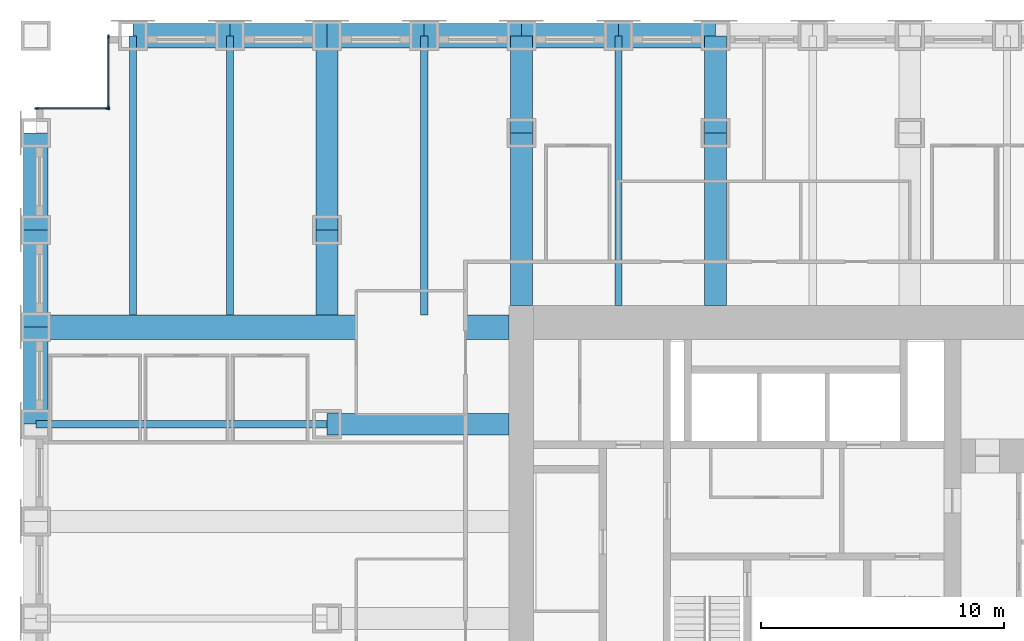
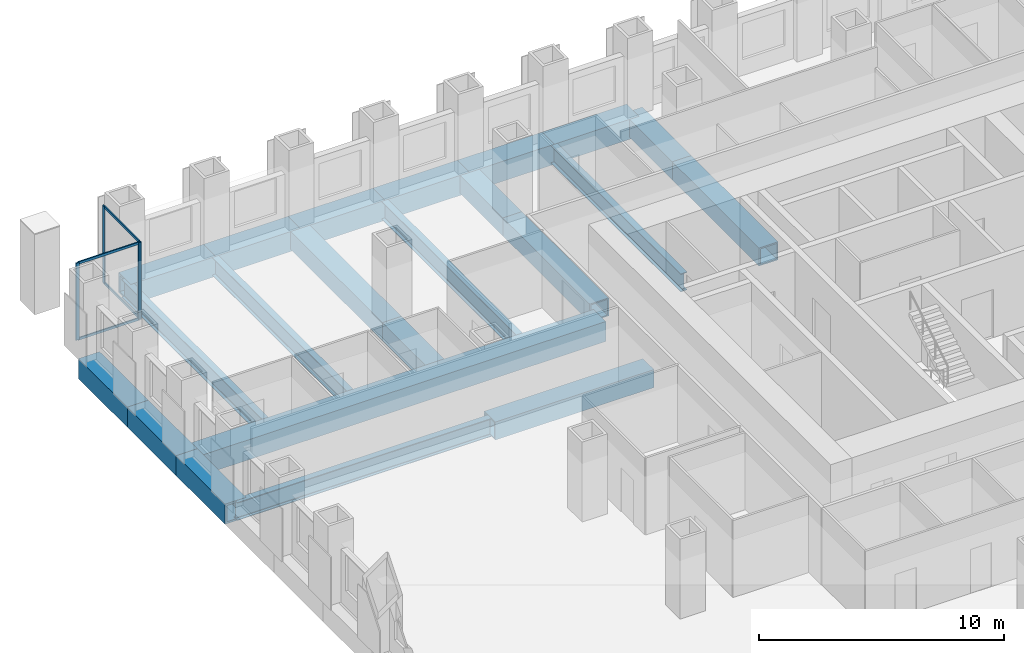
# One storey, part 5 of 15: 22 beams, 8 members, 2 elements without a shape of their own.
"""IFC4 building model written with IfcOpenShell, lengths in metres."""

from ifc_helpers import new_model, si_unit, direction, frame, origin, origin_2d, place, context, subcontext, project, spatial, rectangle, hollow_rectangle, i_section, extrude, material, material_profile, profile_set, type_object, element, aggregate, save


model = new_model("IFC4")

# Units and contexts
model_context = context("Model", 3, precision=1e-05, world=origin(), true_north=direction((0.0, 1.0)))
body_context = subcontext(model_context, "Body", "Model", "MODEL_VIEW")
ifc_project = project(units=[si_unit("LENGTHUNIT", "METRE"), si_unit("AREAUNIT", "SQUARE_METRE"), si_unit("VOLUMEUNIT", "CUBIC_METRE"), si_unit("PLANEANGLEUNIT", "RADIAN"), si_unit("MASSUNIT", "GRAM", prefix="KILO")], contexts=[model_context])

# Site, building, storey
site_placement = place(None, origin())
site = spatial("IfcSite", under=ifc_project, at=site_placement, CompositionType="ELEMENT")
building_placement = place(site_placement, origin())
building = spatial("IfcBuilding", under=site, at=building_placement, Name="Rimbunsela Tower", CompositionType="ELEMENT")
storey_placement = place(building_placement, frame((0.0, 0.0, 67.0)))
storey = spatial("IfcBuildingStorey", under=building, at=storey_placement, Name="L16", CompositionType="ELEMENT", Elevation=67.0)

# Beams
ifc_material_1 = material(Name="Steel BJ 55 (fy 410 MPa)", Category="steel")
ifc_material_profile_1 = material_profile(ifc_material_1, hollow_rectangle(XDim=1.0, YDim=1.0, WallThickness=0.10009765625, at=origin_2d()), Name="BOX 1000x1000x100")
ifc_profile_set_1 = profile_set([ifc_material_profile_1], Name="Steel BJ 55 (fy 410 MPa)")
beam_type_1 = type_object("IfcBeamType", Name="Beam BOX 1000x1000x100", PredefinedType="BEAM", material=ifc_profile_set_1)
for number, where, z_axis, x_axis, name in (
    (1, (-2.0, 32.0, -0.64990234375), (0.0, 1.0, 0.0), (-1.0, 0.0, 0.0), "Beam B3 L16"),
    (2, (-2.0, 36.0, -0.64990234375), (0.0, 1.0, 0.0), (-1.0, 0.0, 0.0), "Beam B3 L16"),
):
    element("IfcBeam", number, at=place(storey_placement, frame(where, z_axis=z_axis, x_axis=x_axis)), inside=storey, type_object=beam_type_1, Name=name, PredefinedType="BEAM", context=body_context, shape_type="SweptSolid", body=[
        extrude(hollow_rectangle(XDim=1.0, YDim=1.0, WallThickness=0.10009765625, at=origin_2d()), origin(), (0.0, 0.0, 1.0), 4.0),
    ])
beam_1_placement = place(storey_placement, frame((-2.0, 36.0, -0.64990234375), z_axis=(1.0, 0.0, 0.0), x_axis=(0.0, 1.0, 0.0)))
element("IfcBeam", 3, at=beam_1_placement, inside=storey, type_object=beam_type_1, Name="Beam B3 L16", PredefinedType="BEAM", context=body_context, shape_type="SweptSolid", body=[
    extrude(hollow_rectangle(XDim=1.0, YDim=1.0, WallThickness=0.10009765625, at=origin_2d()), origin(), (0.0, 0.0, 1.0), 19.5),
])
for number, where, z_axis, x_axis, name in (
    (4, (-2.0, 40.0, -0.64990234375), (0.0, 1.0, 0.0), (-1.0, 0.0, 0.0), "Beam B3 L16"),
    (5, (2.0, 48.0, -0.64990234375), (1.0, 0.0, 0.0), (0.0, 1.0, 0.0), "Beam B3 L16"),
    (6, (6.0, 48.0, -0.64990234375), (1.0, 0.0, 0.0), (0.0, 1.0, 0.0), "Beam B3 L16"),
    (7, (10.0, 48.0, -0.64990234375), (1.0, 0.0, 0.0), (0.0, 1.0, 0.0), "Beam B3 L16"),
    (8, (14.0, 48.0, -0.64990234375), (1.0, 0.0, 0.0), (0.0, 1.0, 0.0), "Beam B3 L16"),
    (9, (18.0, 48.0, -0.64990234375), (1.0, 0.0, 0.0), (0.0, 1.0, 0.0), "Beam B3 L16"),
    (10, (22.0, 48.0, -0.64990234375), (1.0, 0.0, 0.0), (0.0, 1.0, 0.0), "Beam B3 L16"),
):
    element("IfcBeam", number, at=place(storey_placement, frame(where, z_axis=z_axis, x_axis=x_axis)), inside=storey, type_object=beam_type_1, Name=name, PredefinedType="BEAM", context=body_context, shape_type="SweptSolid", body=[
        extrude(hollow_rectangle(XDim=1.0, YDim=1.0, WallThickness=0.10009765625, at=origin_2d()), origin(), (0.0, 0.0, 1.0), 4.0),
    ])
ifc_material_2 = material(Name="Steel BJ 55 (fy 410 MPa)", Category="steel")
ifc_material_profile_2 = material_profile(ifc_material_2, hollow_rectangle(XDim=0.89990234375, YDim=0.89990234375, WallThickness=0.06005859375, at=origin_2d()), Name="BOX 900x900x60")
ifc_profile_set_2 = profile_set([ifc_material_profile_2], Name="Steel BJ 55 (fy 410 MPa)")
beam_type_2 = type_object("IfcBeamType", Name="Beam BOX 900x900x60", PredefinedType="BEAM", material=ifc_profile_set_2)
beam_2_placement = place(storey_placement, frame((10.0, 32.0, -0.60009765625), z_axis=(1.0, 0.0, 0.0), x_axis=(0.0, 1.0, 0.0)))
element("IfcBeam", 11, at=beam_2_placement, inside=storey, type_object=beam_type_2, Name="Beam B1 L16", PredefinedType="BEAM", context=body_context, shape_type="SweptSolid", body=[
    extrude(hollow_rectangle(XDim=0.89990234375, YDim=0.89990234375, WallThickness=0.06005859375, at=origin_2d()), origin(), (0.0, 0.0, 1.0), 7.5),
])
beam_3_placement = place(storey_placement, frame((10.0, 36.5, -0.60009765625), z_axis=(0.0, 1.0, 0.0), x_axis=(-1.0, 0.0, 0.0)))
element("IfcBeam", 12, at=beam_3_placement, inside=storey, type_object=beam_type_2, Name="Beam B1 L16", PredefinedType="BEAM", context=body_context, shape_type="SweptSolid", body=[
    extrude(hollow_rectangle(XDim=0.89990234375, YDim=0.89990234375, WallThickness=0.06005859375, at=origin_2d()), origin(), (0.0, 0.0, 1.0), 3.5),
])
beam_4_placement = place(storey_placement, frame((10.0, 40.0, -0.60009765625), z_axis=(0.0, 1.0, 0.0), x_axis=(-1.0, 0.0, 0.0)))
element("IfcBeam", 13, at=beam_4_placement, inside=storey, type_object=beam_type_2, Name="Beam B1 L16", PredefinedType="BEAM", context=body_context, shape_type="SweptSolid", body=[
    extrude(hollow_rectangle(XDim=0.89990234375, YDim=0.89990234375, WallThickness=0.06005859375, at=origin_2d()), origin(), (0.0, 0.0, 1.0), 8.0),
])
beam_5_placement = place(storey_placement, frame((18.0, 36.89990234375, -0.60009765625), z_axis=(0.0, 1.0, 0.0), x_axis=(-1.0, 0.0, 0.0)))
element("IfcBeam", 14, at=beam_5_placement, inside=storey, type_object=beam_type_2, Name="Beam B1 L16", PredefinedType="BEAM", context=body_context, shape_type="SweptSolid", body=[
    extrude(hollow_rectangle(XDim=0.89990234375, YDim=0.89990234375, WallThickness=0.06005859375, at=origin_2d()), origin(), (0.0, 0.0, 1.0), 7.10009765625),
])
beam_6_placement = place(storey_placement, frame((18.0, 44.0, -0.60009765625), z_axis=(0.0, 1.0, 0.0), x_axis=(-1.0, 0.0, 0.0)))
element("IfcBeam", 15, at=beam_6_placement, inside=storey, type_object=beam_type_2, Name="Beam B1 L16", PredefinedType="BEAM", context=body_context, shape_type="SweptSolid", body=[
    extrude(hollow_rectangle(XDim=0.89990234375, YDim=0.89990234375, WallThickness=0.06005859375, at=origin_2d()), origin(), (0.0, 0.0, 1.0), 4.0),
])
beam_7_placement = place(storey_placement, frame((26.0, 36.89990234375, -0.60009765625), z_axis=(0.0, 1.0, 0.0), x_axis=(-1.0, 0.0, 0.0)))
element("IfcBeam", 16, at=beam_7_placement, inside=storey, type_object=beam_type_2, Name="Beam B1 L16", PredefinedType="BEAM", context=body_context, shape_type="SweptSolid", body=[
    extrude(hollow_rectangle(XDim=0.89990234375, YDim=0.89990234375, WallThickness=0.06005859375, at=origin_2d()), origin(), (0.0, 0.0, 1.0), 7.10009765625),
])
beam_8_placement = place(storey_placement, frame((26.0, 44.0, -0.60009765625), z_axis=(0.0, 1.0, 0.0), x_axis=(-1.0, 0.0, 0.0)))
element("IfcBeam", 17, at=beam_8_placement, inside=storey, type_object=beam_type_2, Name="Beam B1 L16", PredefinedType="BEAM", context=body_context, shape_type="SweptSolid", body=[
    extrude(hollow_rectangle(XDim=0.89990234375, YDim=0.89990234375, WallThickness=0.06005859375, at=origin_2d()), origin(), (0.0, 0.0, 1.0), 4.0),
])
ifc_material_3 = material(Name="Steel BJ 55 (fy 410 MPa)", Category="steel")
ifc_material_profile_3 = material_profile(ifc_material_3, i_section(OverallWidth=0.300048828125, OverallDepth=0.89990234375, WebThickness=0.01611328125, FlangeThickness=0.028076171875, FilletRadius=0.028076171875, at=origin_2d()), Name="H 900x300x16x28")
ifc_profile_set_3 = profile_set([ifc_material_profile_3], Name="Steel BJ 55 (fy 410 MPa)")
beam_type_3 = type_object("IfcBeamType", Name="Beam H 900x300x16x28", PredefinedType="BEAM", material=ifc_profile_set_3)
beam_9_placement = place(storey_placement, frame((-2.0, 32.0, -0.60009765625), z_axis=(1.0, 0.0, 0.0), x_axis=(0.0, 1.0, 0.0)))
element("IfcBeam", 18, at=beam_9_placement, inside=storey, type_object=beam_type_3, Name="Beam B2 L16", PredefinedType="BEAM", context=body_context, shape_type="SweptSolid", body=[
    extrude(i_section(OverallWidth=0.300048828125, OverallDepth=0.89990234375, WebThickness=0.01611328125, FlangeThickness=0.028076171875, FilletRadius=0.028076171875, at=origin_2d()), origin(), (0.0, 0.0, 1.0), 12.0),
])
for number, where, z_axis, x_axis, name in (
    (19, (2.0, 36.5, -0.60009765625), (0.0, 1.0, 0.0), (-1.0, 0.0, 0.0), "Beam B2 L16"),
    (20, (6.0, 36.5, -0.60009765625), (0.0, 1.0, 0.0), (-1.0, 0.0, 0.0), "Beam B2 L16"),
    (21, (14.0, 36.5, -0.60009765625), (0.0, 1.0, 0.0), (-1.0, 0.0, 0.0), "Beam B2 L16"),
):
    element("IfcBeam", number, at=place(storey_placement, frame(where, z_axis=z_axis, x_axis=x_axis)), inside=storey, type_object=beam_type_3, Name=name, PredefinedType="BEAM", context=body_context, shape_type="SweptSolid", body=[
        extrude(i_section(OverallWidth=0.300048828125, OverallDepth=0.89990234375, WebThickness=0.01611328125, FlangeThickness=0.028076171875, FilletRadius=0.028076171875, at=origin_2d()), origin(), (0.0, 0.0, 1.0), 11.5),
    ])
beam_10_placement = place(storey_placement, frame((22.0, 36.89990234375, -0.60009765625), z_axis=(0.0, 1.0, 0.0), x_axis=(-1.0, 0.0, 0.0)))
element("IfcBeam", 22, at=beam_10_placement, inside=storey, type_object=beam_type_3, Name="Beam B2 L16", PredefinedType="BEAM", context=body_context, shape_type="SweptSolid", body=[
    extrude(i_section(OverallWidth=0.300048828125, OverallDepth=0.89990234375, WebThickness=0.01611328125, FlangeThickness=0.028076171875, FilletRadius=0.028076171875, at=origin_2d()), origin(), (0.0, 0.0, 1.0), 11.10009765625),
])

# Curtain wall, members
ifc_material_4 = material(Name="Aluminium curtain wall", Category="aluminium")
curtain_wall_type = type_object("IfcCurtainWallType", Name="Corner glazing", PredefinedType="USERDEFINED", material=ifc_material_4)
curtain_wall_1_placement = place(storey_placement, origin())
curtain_wall_1 = element("IfcCurtainWall", 23, at=curtain_wall_1_placement, inside=storey, type_object=curtain_wall_type, Name="Corner glazing L16", ObjectType="CORNER GLAZING", PredefinedType="USERDEFINED")
ifc_material_5 = material(Name="Aluminium mullion", Category="aluminium")
ifc_material_profile_4 = material_profile(ifc_material_5, rectangle(XDim=0.06005859375, YDim=0.159912109375, at=origin_2d()), Name="Mullion 60x160")
ifc_profile_set_4 = profile_set([ifc_material_profile_4], Name="Aluminium mullion")
member_type_1 = type_object("IfcMemberType", Name="Curtain wall mullion 60x160", PredefinedType="MULLION", material=ifc_profile_set_4)
member_1_placement = place(storey_placement, frame((1.0, 47.969970703125, 0.0), z_axis=(0.0, 0.0, 1.0), x_axis=(1.0, 0.0, 0.0)))
member_1 = element("IfcMember", 24, at=member_1_placement, type_object=member_type_1, Name="CW5 mullion 1", PredefinedType="MULLION", context=body_context, shape_type="SweptSolid", body=[
    extrude(rectangle(XDim=0.06005859375, YDim=0.159912109375, at=origin_2d()), origin(), (0.0, 0.0, 1.0), 3.85009765625),
])
member_2_placement = place(storey_placement, frame((1.0, 45.030029296875, 0.0), z_axis=(0.0, 0.0, 1.0), x_axis=(1.0, 0.0, 0.0)))
member_2 = element("IfcMember", 25, at=member_2_placement, type_object=member_type_1, Name="CW5 mullion 2", PredefinedType="MULLION", context=body_context, shape_type="SweptSolid", body=[
    extrude(rectangle(XDim=0.06005859375, YDim=0.159912109375, at=origin_2d()), origin(), (0.0, 0.0, 1.0), 3.85009765625),
])

curtain_wall_2_placement = place(storey_placement, origin())
curtain_wall_2 = element("IfcCurtainWall", 26, at=curtain_wall_2_placement, inside=storey, type_object=curtain_wall_type, Name="Corner glazing L16", ObjectType="CORNER GLAZING", PredefinedType="USERDEFINED")
member_3_placement = place(storey_placement, frame((0.969970703125, 45.0, 0.0), z_axis=(0.0, 0.0, 1.0), x_axis=(0.0, -1.0, 0.0)))
member_3 = element("IfcMember", 27, at=member_3_placement, type_object=member_type_1, Name="CW5 mullion 1", PredefinedType="MULLION", context=body_context, shape_type="SweptSolid", body=[
    extrude(rectangle(XDim=0.06005859375, YDim=0.159912109375, at=origin_2d()), origin(), (0.0, 0.0, 1.0), 3.85009765625),
])
member_4_placement = place(storey_placement, frame((-1.969970703125, 45.0, 0.0), z_axis=(0.0, 0.0, 1.0), x_axis=(0.0, -1.0, 0.0)))
member_4 = element("IfcMember", 28, at=member_4_placement, type_object=member_type_1, Name="CW5 mullion 2", PredefinedType="MULLION", context=body_context, shape_type="SweptSolid", body=[
    extrude(rectangle(XDim=0.06005859375, YDim=0.159912109375, at=origin_2d()), origin(), (0.0, 0.0, 1.0), 3.85009765625),
])

# Member
ifc_material_6 = material(Name="Aluminium transom", Category="aluminium")
ifc_material_profile_5 = material_profile(ifc_material_6, rectangle(XDim=0.06005859375, YDim=0.1201171875, at=origin_2d()), Name="Transom 60x120")
ifc_profile_set_5 = profile_set([ifc_material_profile_5], Name="Aluminium transom")
member_type_2 = type_object("IfcMemberType", Name="Curtain wall transom 60x120", PredefinedType="USERDEFINED", material=ifc_profile_set_5)
member_5_placement = place(storey_placement, frame((1.0, 47.93994140625, 0.030029296875), z_axis=(0.0, -1.0, 0.0), x_axis=(1.0, 0.0, 0.0)))
member_5 = element("IfcMember", 29, at=member_5_placement, type_object=member_type_2, Name="CW5 transom 1.1", ObjectType="TRANSOM", PredefinedType="USERDEFINED", context=body_context, shape_type="SweptSolid", body=[
    extrude(rectangle(XDim=0.06005859375, YDim=0.1201171875, at=origin_2d()), origin(), (0.0, 0.0, 1.0), 2.8798828125),
])

member_6_placement = place(storey_placement, frame((1.0, 47.93994140625, 3.820068359375), z_axis=(0.0, -1.0, 0.0), x_axis=(1.0, 0.0, 0.0)))
member_6 = element("IfcMember", 30, at=member_6_placement, type_object=member_type_2, Name="CW5 transom 1.2", ObjectType="TRANSOM", PredefinedType="USERDEFINED", context=body_context, shape_type="SweptSolid", body=[
    extrude(rectangle(XDim=0.06005859375, YDim=0.1201171875, at=origin_2d()), origin(), (0.0, 0.0, 1.0), 2.8798828125),
])

aggregate(curtain_wall_1, [member_1, member_2, member_5, member_6])

member_7_placement = place(storey_placement, frame((0.93994140625, 45.0, 0.030029296875), z_axis=(-1.0, 0.0, 0.0), x_axis=(0.0, -1.0, 0.0)))
member_7 = element("IfcMember", 31, at=member_7_placement, type_object=member_type_2, Name="CW5 transom 1.1", ObjectType="TRANSOM", PredefinedType="USERDEFINED", context=body_context, shape_type="SweptSolid", body=[
    extrude(rectangle(XDim=0.06005859375, YDim=0.1201171875, at=origin_2d()), origin(), (0.0, 0.0, 1.0), 2.8798828125),
])

member_8_placement = place(storey_placement, frame((0.93994140625, 45.0, 3.820068359375), z_axis=(-1.0, 0.0, 0.0), x_axis=(0.0, -1.0, 0.0)))
member_8 = element("IfcMember", 32, at=member_8_placement, type_object=member_type_2, Name="CW5 transom 1.2", ObjectType="TRANSOM", PredefinedType="USERDEFINED", context=body_context, shape_type="SweptSolid", body=[
    extrude(rectangle(XDim=0.06005859375, YDim=0.1201171875, at=origin_2d()), origin(), (0.0, 0.0, 1.0), 2.8798828125),
])

aggregate(curtain_wall_2, [member_3, member_4, member_7, member_8])

save(model, "model.ifc")
